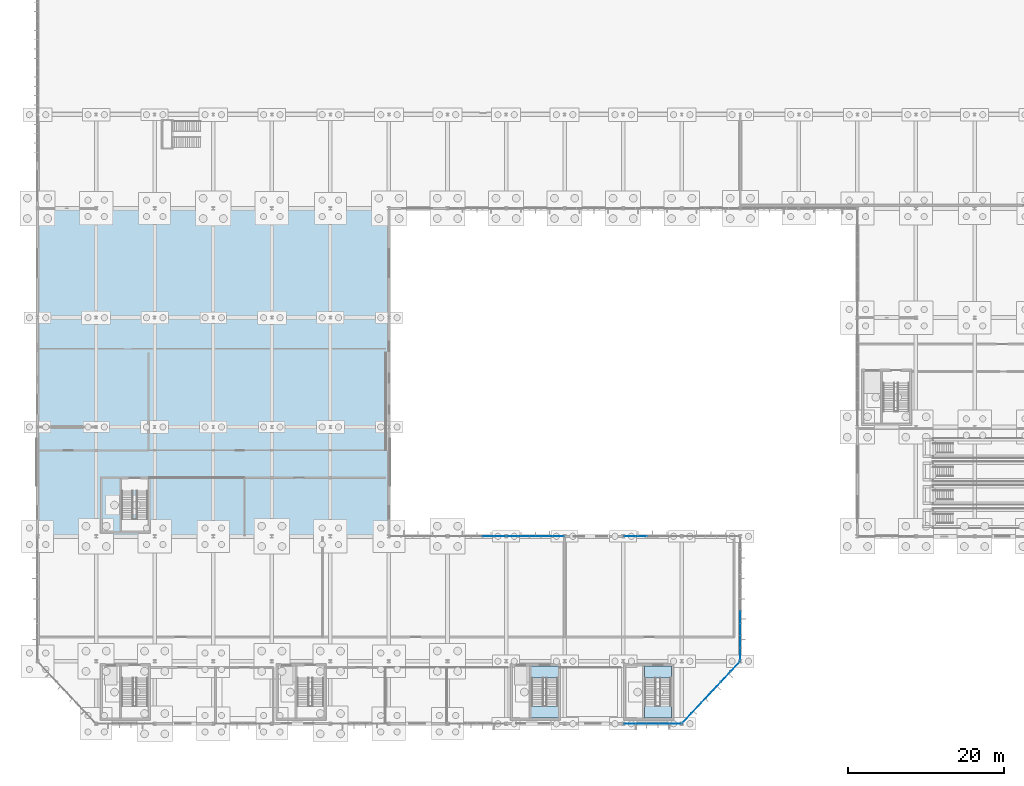
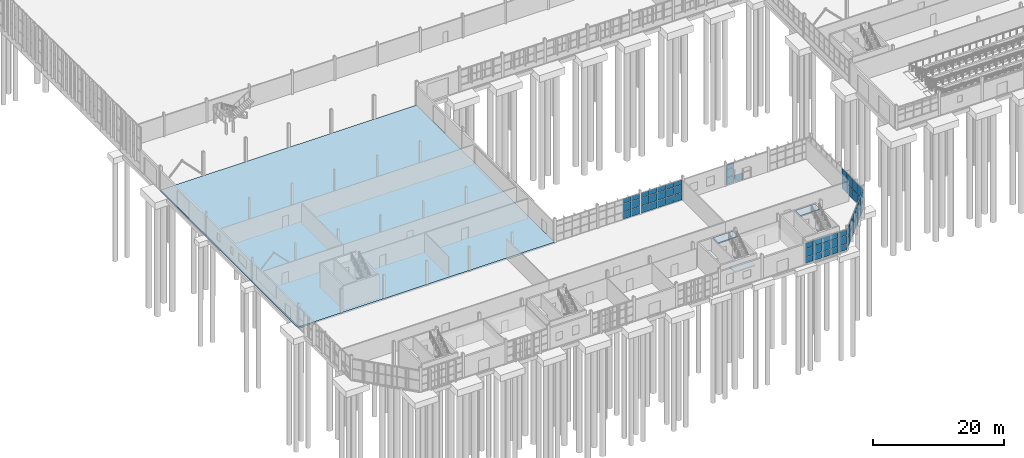
# One storey, part 83 of 136: 60 plates, 5 slabs, 8 elements without a shape of their own.
"""IFC4 building model written with IfcOpenShell, lengths in metres."""

from ifc_helpers import new_model, si_unit, direction, frame, origin, origin_2d, place, context, subcontext, project, spatial, polyline, rectangle, outline, extrude, material, layer, layer_set, type_object, element, aggregate, save


model = new_model("IFC4")

# Units and contexts
model_context = context("Model", 3, precision=1e-05, world=origin(), true_north=direction((0.0, 1.0)))
body_context = subcontext(model_context, "Body", "Model", "MODEL_VIEW")
ifc_project = project(units=[si_unit("LENGTHUNIT", "METRE"), si_unit("AREAUNIT", "SQUARE_METRE"), si_unit("VOLUMEUNIT", "CUBIC_METRE"), si_unit("PLANEANGLEUNIT", "RADIAN"), si_unit("MASSUNIT", "GRAM", prefix="KILO")], contexts=[model_context])

# Site, building, storey
site_placement = place(None, origin())
site = spatial("IfcSite", under=ifc_project, at=site_placement, CompositionType="ELEMENT")
building_placement = place(site_placement, origin())
building = spatial("IfcBuilding", under=site, at=building_placement, Name="Solvenia Promenade Tram Depot", CompositionType="ELEMENT")
storey_placement = place(building_placement, origin())
storey = spatial("IfcBuildingStorey", under=building, at=storey_placement, Name="L00", CompositionType="ELEMENT", Elevation=0.0)

# Curtain wall, plates
ifc_material_1 = material(Name="Anodized aluminium AW-6063 T6", Category="aluminium")
ifc_layer_1 = layer(ifc_material_1, 0.14990234375, Name="Anodized aluminium AW-6063 T6", Category="aluminium")
ifc_layer_set_1 = layer_set([ifc_layer_1], Name="Anodized aluminium AW-6063 T6")
curtain_wall_type_1 = type_object("IfcCurtainWallType", Name="CW-Court-1500", PredefinedType="NOTDEFINED", material=ifc_layer_set_1)
curtain_wall_1_placement = place(storey_placement, origin())
curtain_wall_1 = element("IfcCurtainWall", 1, at=curtain_wall_1_placement, inside=storey, type_object=curtain_wall_type_1, Name="Curtain Wall CW-V4N-L00-08", PredefinedType="NOTDEFINED")
ifc_material_2 = material(Name="Double low-e argon insulated glass", Category="glass")
ifc_layer_2 = layer(ifc_material_2, 0.031982421875, Name="Double low-e argon insulated glass", Category="glass")
ifc_layer_set_2 = layer_set([ifc_layer_2], Name="Double low-e argon insulated glass")
plate_type_1 = type_object("IfcPlateType", Name="CWP-Panel-2", PredefinedType="CURTAIN_PANEL", material=ifc_layer_set_2)
plate_1_placement = place(storey_placement, frame((57.718017578125, 24.0, 0.06494140625), z_axis=(0.0, 0.0, 1.0), x_axis=(1.0, 0.0, 0.0)))
plate_1 = element("IfcPlate", 2, at=plate_1_placement, type_object=plate_type_1, Name="CW-5 panel 4.1", PredefinedType="CURTAIN_PANEL", context=body_context, shape_type="SweptSolid", body=[
    extrude(rectangle(XDim=1.41796875, YDim=0.031982421875, at=origin_2d()), origin(), (0.0, 0.0, 1.0), 1.302490234375),
])
plate_2_placement = place(storey_placement, frame((57.718017578125, 24.0, 1.432373046875), z_axis=(0.0, 0.0, 1.0), x_axis=(1.0, 0.0, 0.0)))
plate_2 = element("IfcPlate", 3, at=plate_2_placement, type_object=plate_type_1, Name="CW-5 panel 4.2", PredefinedType="CURTAIN_PANEL", context=body_context, shape_type="SweptSolid", body=[
    extrude(rectangle(XDim=1.41796875, YDim=0.031982421875, at=origin_2d()), origin(), (0.0, 0.0, 1.0), 1.43505859375),
])
plate_3_placement = place(storey_placement, frame((57.718017578125, 24.0, 2.932373046875), z_axis=(0.0, 0.0, 1.0), x_axis=(1.0, 0.0, 0.0)))
plate_3 = element("IfcPlate", 4, at=plate_3_placement, type_object=plate_type_1, Name="CW-5 panel 4.3", PredefinedType="CURTAIN_PANEL", context=body_context, shape_type="SweptSolid", body=[
    extrude(rectangle(XDim=1.41796875, YDim=0.031982421875, at=origin_2d()), origin(), (0.0, 0.0, 1.0), 0.8525390625),
])
plate_4_placement = place(storey_placement, frame((59.173583984375, 24.0, 0.06494140625), z_axis=(0.0, 0.0, 1.0), x_axis=(1.0, 0.0, 0.0)))
plate_4 = element("IfcPlate", 5, at=plate_4_placement, type_object=plate_type_1, Name="CW-5 panel 5.1", PredefinedType="CURTAIN_PANEL", context=body_context, shape_type="SweptSolid", body=[
    extrude(rectangle(XDim=1.39306640625, YDim=0.031982421875, at=origin_2d()), origin(), (0.0, 0.0, 1.0), 1.302490234375),
])
plate_5_placement = place(storey_placement, frame((59.173583984375, 24.0, 1.432373046875), z_axis=(0.0, 0.0, 1.0), x_axis=(1.0, 0.0, 0.0)))
plate_5 = element("IfcPlate", 6, at=plate_5_placement, type_object=plate_type_1, Name="CW-5 panel 5.2", PredefinedType="CURTAIN_PANEL", context=body_context, shape_type="SweptSolid", body=[
    extrude(rectangle(XDim=1.39306640625, YDim=0.031982421875, at=origin_2d()), origin(), (0.0, 0.0, 1.0), 1.43505859375),
])
plate_6_placement = place(storey_placement, frame((59.173583984375, 24.0, 2.932373046875), z_axis=(0.0, 0.0, 1.0), x_axis=(1.0, 0.0, 0.0)))
plate_6 = element("IfcPlate", 7, at=plate_6_placement, type_object=plate_type_1, Name="CW-5 panel 5.3", PredefinedType="CURTAIN_PANEL", context=body_context, shape_type="SweptSolid", body=[
    extrude(rectangle(XDim=1.39306640625, YDim=0.031982421875, at=origin_2d()), origin(), (0.0, 0.0, 1.0), 0.8525390625),
])
aggregate(curtain_wall_1, [plate_1, plate_2, plate_3, plate_4, plate_5, plate_6])

curtain_wall_2_placement = place(storey_placement, origin())
curtain_wall_2 = element("IfcCurtainWall", 8, at=curtain_wall_2_placement, inside=storey, type_object=curtain_wall_type_1, Name="Curtain Wall CW-V4N-L00-09", PredefinedType="NOTDEFINED")
plate_7_placement = place(storey_placement, frame((60.826416015625, 24.0, 0.06494140625), z_axis=(0.0, 0.0, 1.0), x_axis=(1.0, 0.0, 0.0)))
plate_7 = element("IfcPlate", 9, at=plate_7_placement, type_object=plate_type_1, Name="CW-5 panel 1.1", PredefinedType="CURTAIN_PANEL", context=body_context, shape_type="SweptSolid", body=[
    extrude(rectangle(XDim=1.39306640625, YDim=0.031982421875, at=origin_2d()), origin(), (0.0, 0.0, 1.0), 1.302490234375),
])
plate_8_placement = place(storey_placement, frame((60.826416015625, 24.0, 1.432373046875), z_axis=(0.0, 0.0, 1.0), x_axis=(1.0, 0.0, 0.0)))
plate_8 = element("IfcPlate", 10, at=plate_8_placement, type_object=plate_type_1, Name="CW-5 panel 1.2", PredefinedType="CURTAIN_PANEL", context=body_context, shape_type="SweptSolid", body=[
    extrude(rectangle(XDim=1.39306640625, YDim=0.031982421875, at=origin_2d()), origin(), (0.0, 0.0, 1.0), 1.43505859375),
])
plate_9_placement = place(storey_placement, frame((60.826416015625, 24.0, 2.932373046875), z_axis=(0.0, 0.0, 1.0), x_axis=(1.0, 0.0, 0.0)))
plate_9 = element("IfcPlate", 11, at=plate_9_placement, type_object=plate_type_1, Name="CW-5 panel 1.3", PredefinedType="CURTAIN_PANEL", context=body_context, shape_type="SweptSolid", body=[
    extrude(rectangle(XDim=1.39306640625, YDim=0.031982421875, at=origin_2d()), origin(), (0.0, 0.0, 1.0), 0.8525390625),
])
plate_10_placement = place(storey_placement, frame((62.281982421875, 24.0, 0.06494140625), z_axis=(0.0, 0.0, 1.0), x_axis=(1.0, 0.0, 0.0)))
plate_10 = element("IfcPlate", 12, at=plate_10_placement, type_object=plate_type_1, Name="CW-5 panel 2.1", PredefinedType="CURTAIN_PANEL", context=body_context, shape_type="SweptSolid", body=[
    extrude(rectangle(XDim=1.41796875, YDim=0.031982421875, at=origin_2d()), origin(), (0.0, 0.0, 1.0), 1.302490234375),
])
plate_11_placement = place(storey_placement, frame((62.281982421875, 24.0, 1.432373046875), z_axis=(0.0, 0.0, 1.0), x_axis=(1.0, 0.0, 0.0)))
plate_11 = element("IfcPlate", 13, at=plate_11_placement, type_object=plate_type_1, Name="CW-5 panel 2.2", PredefinedType="CURTAIN_PANEL", context=body_context, shape_type="SweptSolid", body=[
    extrude(rectangle(XDim=1.41796875, YDim=0.031982421875, at=origin_2d()), origin(), (0.0, 0.0, 1.0), 1.43505859375),
])
plate_12_placement = place(storey_placement, frame((62.281982421875, 24.0, 2.932373046875), z_axis=(0.0, 0.0, 1.0), x_axis=(1.0, 0.0, 0.0)))
plate_12 = element("IfcPlate", 14, at=plate_12_placement, type_object=plate_type_1, Name="CW-5 panel 2.3", PredefinedType="CURTAIN_PANEL", context=body_context, shape_type="SweptSolid", body=[
    extrude(rectangle(XDim=1.41796875, YDim=0.031982421875, at=origin_2d()), origin(), (0.0, 0.0, 1.0), 0.8525390625),
])
plate_13_placement = place(storey_placement, frame((63.75, 24.0, 0.06494140625), z_axis=(0.0, 0.0, 1.0), x_axis=(1.0, 0.0, 0.0)))
plate_13 = element("IfcPlate", 15, at=plate_13_placement, type_object=plate_type_1, Name="CW-5 panel 3.1", PredefinedType="CURTAIN_PANEL", context=body_context, shape_type="SweptSolid", body=[
    extrude(rectangle(XDim=1.41796875, YDim=0.031982421875, at=origin_2d()), origin(), (0.0, 0.0, 1.0), 1.302490234375),
])
plate_14_placement = place(storey_placement, frame((63.75, 24.0, 1.432373046875), z_axis=(0.0, 0.0, 1.0), x_axis=(1.0, 0.0, 0.0)))
plate_14 = element("IfcPlate", 16, at=plate_14_placement, type_object=plate_type_1, Name="CW-5 panel 3.2", PredefinedType="CURTAIN_PANEL", context=body_context, shape_type="SweptSolid", body=[
    extrude(rectangle(XDim=1.41796875, YDim=0.031982421875, at=origin_2d()), origin(), (0.0, 0.0, 1.0), 1.43505859375),
])
plate_15_placement = place(storey_placement, frame((63.75, 24.0, 2.932373046875), z_axis=(0.0, 0.0, 1.0), x_axis=(1.0, 0.0, 0.0)))
plate_15 = element("IfcPlate", 17, at=plate_15_placement, type_object=plate_type_1, Name="CW-5 panel 3.3", PredefinedType="CURTAIN_PANEL", context=body_context, shape_type="SweptSolid", body=[
    extrude(rectangle(XDim=1.41796875, YDim=0.031982421875, at=origin_2d()), origin(), (0.0, 0.0, 1.0), 0.8525390625),
])
plate_16_placement = place(storey_placement, frame((65.218017578125, 24.0, 0.06494140625), z_axis=(0.0, 0.0, 1.0), x_axis=(1.0, 0.0, 0.0)))
plate_16 = element("IfcPlate", 18, at=plate_16_placement, type_object=plate_type_1, Name="CW-5 panel 4.1", PredefinedType="CURTAIN_PANEL", context=body_context, shape_type="SweptSolid", body=[
    extrude(rectangle(XDim=1.41796875, YDim=0.031982421875, at=origin_2d()), origin(), (0.0, 0.0, 1.0), 1.302490234375),
])
plate_17_placement = place(storey_placement, frame((65.218017578125, 24.0, 1.432373046875), z_axis=(0.0, 0.0, 1.0), x_axis=(1.0, 0.0, 0.0)))
plate_17 = element("IfcPlate", 19, at=plate_17_placement, type_object=plate_type_1, Name="CW-5 panel 4.2", PredefinedType="CURTAIN_PANEL", context=body_context, shape_type="SweptSolid", body=[
    extrude(rectangle(XDim=1.41796875, YDim=0.031982421875, at=origin_2d()), origin(), (0.0, 0.0, 1.0), 1.43505859375),
])
plate_18_placement = place(storey_placement, frame((65.218017578125, 24.0, 2.932373046875), z_axis=(0.0, 0.0, 1.0), x_axis=(1.0, 0.0, 0.0)))
plate_18 = element("IfcPlate", 20, at=plate_18_placement, type_object=plate_type_1, Name="CW-5 panel 4.3", PredefinedType="CURTAIN_PANEL", context=body_context, shape_type="SweptSolid", body=[
    extrude(rectangle(XDim=1.41796875, YDim=0.031982421875, at=origin_2d()), origin(), (0.0, 0.0, 1.0), 0.8525390625),
])
plate_19_placement = place(storey_placement, frame((66.673583984375, 24.0, 0.06494140625), z_axis=(0.0, 0.0, 1.0), x_axis=(1.0, 0.0, 0.0)))
plate_19 = element("IfcPlate", 21, at=plate_19_placement, type_object=plate_type_1, Name="CW-5 panel 5.1", PredefinedType="CURTAIN_PANEL", context=body_context, shape_type="SweptSolid", body=[
    extrude(rectangle(XDim=1.39306640625, YDim=0.031982421875, at=origin_2d()), origin(), (0.0, 0.0, 1.0), 1.302490234375),
])
plate_20_placement = place(storey_placement, frame((66.673583984375, 24.0, 1.432373046875), z_axis=(0.0, 0.0, 1.0), x_axis=(1.0, 0.0, 0.0)))
plate_20 = element("IfcPlate", 22, at=plate_20_placement, type_object=plate_type_1, Name="CW-5 panel 5.2", PredefinedType="CURTAIN_PANEL", context=body_context, shape_type="SweptSolid", body=[
    extrude(rectangle(XDim=1.39306640625, YDim=0.031982421875, at=origin_2d()), origin(), (0.0, 0.0, 1.0), 1.43505859375),
])
plate_21_placement = place(storey_placement, frame((66.673583984375, 24.0, 2.932373046875), z_axis=(0.0, 0.0, 1.0), x_axis=(1.0, 0.0, 0.0)))
plate_21 = element("IfcPlate", 23, at=plate_21_placement, type_object=plate_type_1, Name="CW-5 panel 5.3", PredefinedType="CURTAIN_PANEL", context=body_context, shape_type="SweptSolid", body=[
    extrude(rectangle(XDim=1.39306640625, YDim=0.031982421875, at=origin_2d()), origin(), (0.0, 0.0, 1.0), 0.8525390625),
])
aggregate(curtain_wall_2, [plate_7, plate_8, plate_9, plate_10, plate_11, plate_12, plate_13, plate_14, plate_15, plate_16, plate_17, plate_18, plate_19, plate_20, plate_21])

curtain_wall_3_placement = place(storey_placement, origin())
curtain_wall_3 = element("IfcCurtainWall", 24, at=curtain_wall_3_placement, inside=storey, type_object=curtain_wall_type_1, Name="Curtain Wall CW-V4N-L00-11", PredefinedType="NOTDEFINED")
plate_22_placement = place(storey_placement, frame((75.826416015625, 24.0, 0.06494140625), z_axis=(0.0, 0.0, 1.0), x_axis=(1.0, 0.0, 0.0)))
plate_22 = element("IfcPlate", 25, at=plate_22_placement, type_object=plate_type_1, Name="CW-5 panel 1.1", PredefinedType="CURTAIN_PANEL", context=body_context, shape_type="SweptSolid", body=[
    extrude(rectangle(XDim=1.39306640625, YDim=0.031982421875, at=origin_2d()), origin(), (0.0, 0.0, 1.0), 1.302490234375),
])
plate_23_placement = place(storey_placement, frame((75.826416015625, 24.0, 1.432373046875), z_axis=(0.0, 0.0, 1.0), x_axis=(1.0, 0.0, 0.0)))
plate_23 = element("IfcPlate", 26, at=plate_23_placement, type_object=plate_type_1, Name="CW-5 panel 1.2", PredefinedType="CURTAIN_PANEL", context=body_context, shape_type="SweptSolid", body=[
    extrude(rectangle(XDim=1.39306640625, YDim=0.031982421875, at=origin_2d()), origin(), (0.0, 0.0, 1.0), 1.43505859375),
])
plate_24_placement = place(storey_placement, frame((75.826416015625, 24.0, 2.932373046875), z_axis=(0.0, 0.0, 1.0), x_axis=(1.0, 0.0, 0.0)))
plate_24 = element("IfcPlate", 27, at=plate_24_placement, type_object=plate_type_1, Name="CW-5 panel 1.3", PredefinedType="CURTAIN_PANEL", context=body_context, shape_type="SweptSolid", body=[
    extrude(rectangle(XDim=1.39306640625, YDim=0.031982421875, at=origin_2d()), origin(), (0.0, 0.0, 1.0), 0.8525390625),
])
plate_25_placement = place(storey_placement, frame((77.281982421875, 24.0, 0.06494140625), z_axis=(0.0, 0.0, 1.0), x_axis=(1.0, 0.0, 0.0)))
plate_25 = element("IfcPlate", 28, at=plate_25_placement, type_object=plate_type_1, Name="CW-5 panel 2.1", PredefinedType="CURTAIN_PANEL", context=body_context, shape_type="SweptSolid", body=[
    extrude(rectangle(XDim=1.41796875, YDim=0.031982421875, at=origin_2d()), origin(), (0.0, 0.0, 1.0), 1.302490234375),
])
aggregate(curtain_wall_3, [plate_22, plate_23, plate_24, plate_25])

curtain_wall_4_placement = place(storey_placement, origin())
curtain_wall_4 = element("IfcCurtainWall", 29, at=curtain_wall_4_placement, inside=storey, type_object=curtain_wall_type_1, Name="Curtain Wall CW-V4E-L00", PredefinedType="NOTDEFINED")
plate_26_placement = place(storey_placement, frame((90.0, 8.947509765625, 0.06494140625), z_axis=(0.0, 0.0, 1.0), x_axis=(0.0, 1.0, 0.0)))
plate_26 = element("IfcPlate", 30, at=plate_26_placement, type_object=plate_type_1, Name="CW-5 panel 1.1", PredefinedType="CURTAIN_PANEL", context=body_context, shape_type="SweptSolid", body=[
    extrude(rectangle(XDim=1.4951171875, YDim=0.031982421875, at=origin_2d()), origin(), (0.0, 0.0, 1.0), 1.75244140625),
])
plate_27_placement = place(storey_placement, frame((90.0, 8.947509765625, 1.88232421875), z_axis=(0.0, 0.0, 1.0), x_axis=(0.0, 1.0, 0.0)))
plate_27 = element("IfcPlate", 31, at=plate_27_placement, type_object=plate_type_1, Name="CW-5 panel 1.2", PredefinedType="CURTAIN_PANEL", context=body_context, shape_type="SweptSolid", body=[
    extrude(rectangle(XDim=1.4951171875, YDim=0.031982421875, at=origin_2d()), origin(), (0.0, 0.0, 1.0), 1.902587890625),
])
plate_28_placement = place(storey_placement, frame((90.0, 10.5048828125, 0.06494140625), z_axis=(0.0, 0.0, 1.0), x_axis=(0.0, 1.0, 0.0)))
plate_28 = element("IfcPlate", 32, at=plate_28_placement, type_object=plate_type_1, Name="CW-5 panel 2.1", PredefinedType="CURTAIN_PANEL", context=body_context, shape_type="SweptSolid", body=[
    extrude(rectangle(XDim=1.52001953125, YDim=0.031982421875, at=origin_2d()), origin(), (0.0, 0.0, 1.0), 1.75244140625),
])
plate_29_placement = place(storey_placement, frame((90.0, 10.5048828125, 1.88232421875), z_axis=(0.0, 0.0, 1.0), x_axis=(0.0, 1.0, 0.0)))
plate_29 = element("IfcPlate", 33, at=plate_29_placement, type_object=plate_type_1, Name="CW-5 panel 2.2", PredefinedType="CURTAIN_PANEL", context=body_context, shape_type="SweptSolid", body=[
    extrude(rectangle(XDim=1.52001953125, YDim=0.031982421875, at=origin_2d()), origin(), (0.0, 0.0, 1.0), 1.902587890625),
])
plate_30_placement = place(storey_placement, frame((90.0, 12.074951171875, 0.06494140625), z_axis=(0.0, 0.0, 1.0), x_axis=(0.0, 1.0, 0.0)))
plate_30 = element("IfcPlate", 34, at=plate_30_placement, type_object=plate_type_1, Name="CW-5 panel 3.1", PredefinedType="CURTAIN_PANEL", context=body_context, shape_type="SweptSolid", body=[
    extrude(rectangle(XDim=1.52001953125, YDim=0.031982421875, at=origin_2d()), origin(), (0.0, 0.0, 1.0), 1.75244140625),
])
plate_31_placement = place(storey_placement, frame((90.0, 12.074951171875, 1.88232421875), z_axis=(0.0, 0.0, 1.0), x_axis=(0.0, 1.0, 0.0)))
plate_31 = element("IfcPlate", 35, at=plate_31_placement, type_object=plate_type_1, Name="CW-5 panel 3.2", PredefinedType="CURTAIN_PANEL", context=body_context, shape_type="SweptSolid", body=[
    extrude(rectangle(XDim=1.52001953125, YDim=0.031982421875, at=origin_2d()), origin(), (0.0, 0.0, 1.0), 1.902587890625),
])
plate_32_placement = place(storey_placement, frame((90.0, 13.64501953125, 0.06494140625), z_axis=(0.0, 0.0, 1.0), x_axis=(0.0, 1.0, 0.0)))
plate_32 = element("IfcPlate", 36, at=plate_32_placement, type_object=plate_type_1, Name="CW-5 panel 4.1", PredefinedType="CURTAIN_PANEL", context=body_context, shape_type="SweptSolid", body=[
    extrude(rectangle(XDim=1.52001953125, YDim=0.031982421875, at=origin_2d()), origin(), (0.0, 0.0, 1.0), 1.75244140625),
])
plate_33_placement = place(storey_placement, frame((90.0, 13.64501953125, 1.88232421875), z_axis=(0.0, 0.0, 1.0), x_axis=(0.0, 1.0, 0.0)))
plate_33 = element("IfcPlate", 37, at=plate_33_placement, type_object=plate_type_1, Name="CW-5 panel 4.2", PredefinedType="CURTAIN_PANEL", context=body_context, shape_type="SweptSolid", body=[
    extrude(rectangle(XDim=1.52001953125, YDim=0.031982421875, at=origin_2d()), origin(), (0.0, 0.0, 1.0), 1.902587890625),
])
aggregate(curtain_wall_4, [plate_26, plate_27, plate_28, plate_29, plate_30, plate_31, plate_32, plate_33])

ifc_layer_3 = layer(ifc_material_1, 0.179931640625, Name="Anodized aluminium AW-6063 T6", Category="aluminium")
ifc_layer_set_3 = layer_set([ifc_layer_3], Name="Anodized aluminium AW-6063 T6")
curtain_wall_type_2 = type_object("IfcCurtainWallType", Name="CW-Prom-1800", PredefinedType="NOTDEFINED", material=ifc_layer_set_3)
curtain_wall_5_placement = place(storey_placement, origin())
curtain_wall_5 = element("IfcCurtainWall", 38, at=curtain_wall_5_placement, inside=storey, type_object=curtain_wall_type_2, Name="L00 East Forecourt Faceted Prow Curtain Wall", PredefinedType="NOTDEFINED")
ifc_layer_4 = layer(ifc_material_2, 0.035888671875, Name="Double low-e argon insulated glass", Category="glass")
ifc_layer_set_4 = layer_set([ifc_layer_4], Name="Double low-e argon insulated glass")
plate_type_2 = type_object("IfcPlateType", Name="CWP-Panel-3", PredefinedType="CURTAIN_PANEL", material=ifc_layer_set_4)
plate_34_placement = place(storey_placement, frame((83.13330078125, 0.675537109375, 0.057861328125), z_axis=(0.0, 0.0, 1.0), x_axis=(0.683941128881, 0.72953720414, 0.0)))
plate_34 = element("IfcPlate", 39, at=plate_34_placement, type_object=plate_type_2, Name="CW-9 panel 1.1", PredefinedType="CURTAIN_PANEL", context=body_context, shape_type="SweptSolid", body=[
    extrude(rectangle(XDim=1.755615234375, YDim=0.035888671875, at=origin_2d()), origin(), (0.0, 0.0, 1.0), 1.9130859375),
])
plate_35_placement = place(storey_placement, frame((83.13330078125, 0.675537109375, 2.02880859375), z_axis=(0.0, 0.0, 1.0), x_axis=(0.683941128881, 0.72953720414, 0.0)))
plate_35 = element("IfcPlate", 40, at=plate_35_placement, type_object=plate_type_2, Name="CW-9 panel 1.2", PredefinedType="CURTAIN_PANEL", context=body_context, shape_type="SweptSolid", body=[
    extrude(rectangle(XDim=1.755615234375, YDim=0.035888671875, at=origin_2d()), origin(), (0.0, 0.0, 1.0), 1.762939453125),
])
plate_36_placement = place(storey_placement, frame((84.375, 2.0, 0.057861328125), z_axis=(0.0, 0.0, 1.0), x_axis=(0.683941128881, 0.72953720414, 0.0)))
plate_36 = element("IfcPlate", 41, at=plate_36_placement, type_object=plate_type_2, Name="CW-9 panel 2.1", PredefinedType="CURTAIN_PANEL", context=body_context, shape_type="SweptSolid", body=[
    extrude(rectangle(XDim=1.779541015625, YDim=0.035888671875, at=origin_2d()), origin(), (0.0, 0.0, 1.0), 1.9130859375),
])
plate_37_placement = place(storey_placement, frame((84.375, 2.0, 2.02880859375), z_axis=(0.0, 0.0, 1.0), x_axis=(0.683941128881, 0.72953720414, 0.0)))
plate_37 = element("IfcPlate", 42, at=plate_37_placement, type_object=plate_type_2, Name="CW-9 panel 2.2", PredefinedType="CURTAIN_PANEL", context=body_context, shape_type="SweptSolid", body=[
    extrude(rectangle(XDim=1.779541015625, YDim=0.035888671875, at=origin_2d()), origin(), (0.0, 0.0, 1.0), 1.762939453125),
])
plate_38_placement = place(storey_placement, frame((85.625, 3.333251953125, 0.057861328125), z_axis=(0.0, 0.0, 1.0), x_axis=(0.683941128881, 0.72953720414, 0.0)))
plate_38 = element("IfcPlate", 43, at=plate_38_placement, type_object=plate_type_2, Name="CW-9 panel 3.1", PredefinedType="CURTAIN_PANEL", context=body_context, shape_type="SweptSolid", body=[
    extrude(rectangle(XDim=1.779541015625, YDim=0.035888671875, at=origin_2d()), origin(), (0.0, 0.0, 1.0), 1.9130859375),
])
plate_39_placement = place(storey_placement, frame((85.625, 3.333251953125, 2.02880859375), z_axis=(0.0, 0.0, 1.0), x_axis=(0.683941128881, 0.72953720414, 0.0)))
plate_39 = element("IfcPlate", 44, at=plate_39_placement, type_object=plate_type_2, Name="CW-9 panel 3.2", PredefinedType="CURTAIN_PANEL", context=body_context, shape_type="SweptSolid", body=[
    extrude(rectangle(XDim=1.779541015625, YDim=0.035888671875, at=origin_2d()), origin(), (0.0, 0.0, 1.0), 1.762939453125),
])
plate_40_placement = place(storey_placement, frame((86.875, 4.666748046875, 0.057861328125), z_axis=(0.0, 0.0, 1.0), x_axis=(0.683941128881, 0.72953720414, 0.0)))
plate_40 = element("IfcPlate", 45, at=plate_40_placement, type_object=plate_type_2, Name="CW-9 panel 4.1", PredefinedType="CURTAIN_PANEL", context=body_context, shape_type="SweptSolid", body=[
    extrude(rectangle(XDim=1.779541015625, YDim=0.035888671875, at=origin_2d()), origin(), (0.0, 0.0, 1.0), 1.9130859375),
])
plate_41_placement = place(storey_placement, frame((86.875, 4.666748046875, 2.02880859375), z_axis=(0.0, 0.0, 1.0), x_axis=(0.683941128881, 0.72953720414, 0.0)))
plate_41 = element("IfcPlate", 46, at=plate_41_placement, type_object=plate_type_2, Name="CW-9 panel 4.2", PredefinedType="CURTAIN_PANEL", context=body_context, shape_type="SweptSolid", body=[
    extrude(rectangle(XDim=1.779541015625, YDim=0.035888671875, at=origin_2d()), origin(), (0.0, 0.0, 1.0), 1.762939453125),
])
plate_42_placement = place(storey_placement, frame((88.125, 6.0, 0.057861328125), z_axis=(0.0, 0.0, 1.0), x_axis=(0.683941128881, 0.72953720414, 0.0)))
plate_42 = element("IfcPlate", 47, at=plate_42_placement, type_object=plate_type_2, Name="CW-9 panel 5.1", PredefinedType="CURTAIN_PANEL", context=body_context, shape_type="SweptSolid", body=[
    extrude(rectangle(XDim=1.779541015625, YDim=0.035888671875, at=origin_2d()), origin(), (0.0, 0.0, 1.0), 1.9130859375),
])
plate_43_placement = place(storey_placement, frame((88.125, 6.0, 2.02880859375), z_axis=(0.0, 0.0, 1.0), x_axis=(0.683941128881, 0.72953720414, 0.0)))
plate_43 = element("IfcPlate", 48, at=plate_43_placement, type_object=plate_type_2, Name="CW-9 panel 5.2", PredefinedType="CURTAIN_PANEL", context=body_context, shape_type="SweptSolid", body=[
    extrude(rectangle(XDim=1.779541015625, YDim=0.035888671875, at=origin_2d()), origin(), (0.0, 0.0, 1.0), 1.762939453125),
])
plate_44_placement = place(storey_placement, frame((89.36669921875, 7.324462890625, 0.057861328125), z_axis=(0.0, 0.0, 1.0), x_axis=(0.683941128881, 0.72953720414, 0.0)))
plate_44 = element("IfcPlate", 49, at=plate_44_placement, type_object=plate_type_2, Name="CW-9 panel 6.1", PredefinedType="CURTAIN_PANEL", context=body_context, shape_type="SweptSolid", body=[
    extrude(rectangle(XDim=1.755615234375, YDim=0.035888671875, at=origin_2d()), origin(), (0.0, 0.0, 1.0), 1.9130859375),
])
plate_45_placement = place(storey_placement, frame((89.36669921875, 7.324462890625, 2.02880859375), z_axis=(0.0, 0.0, 1.0), x_axis=(0.683941128881, 0.72953720414, 0.0)))
plate_45 = element("IfcPlate", 50, at=plate_45_placement, type_object=plate_type_2, Name="CW-9 panel 6.2", PredefinedType="CURTAIN_PANEL", context=body_context, shape_type="SweptSolid", body=[
    extrude(rectangle(XDim=1.755615234375, YDim=0.035888671875, at=origin_2d()), origin(), (0.0, 0.0, 1.0), 1.762939453125),
])
aggregate(curtain_wall_5, [plate_34, plate_35, plate_36, plate_37, plate_38, plate_39, plate_40, plate_41, plate_42, plate_43, plate_44, plate_45])

ifc_layer_5 = layer(ifc_material_1, 0.179931640625, Name="Anodized aluminium AW-6063 T6", Category="aluminium")
ifc_layer_set_5 = layer_set([ifc_layer_5], Name="Anodized aluminium AW-6063 T6")
curtain_wall_type_3 = type_object("IfcCurtainWallType", Name="CW-Solar-1500", PredefinedType="NOTDEFINED", material=ifc_layer_set_5)
curtain_wall_6_placement = place(storey_placement, origin())
curtain_wall_6 = element("IfcCurtainWall", 51, at=curtain_wall_6_placement, inside=storey, type_object=curtain_wall_type_3, Name="Curtain Wall CW-V4S-L00-10", PredefinedType="NOTDEFINED")
plate_46_placement = place(storey_placement, frame((75.825927734375, 0.0, 0.05810546875), z_axis=(0.0, 0.0, 1.0), x_axis=(1.0, 0.0, 0.0)))
plate_46 = element("IfcPlate", 52, at=plate_46_placement, type_object=plate_type_2, Name="CW-7 panel 1.1", PredefinedType="CURTAIN_PANEL", context=body_context, shape_type="SweptSolid", body=[
    extrude(rectangle(XDim=1.39599609375, YDim=0.035888671875, at=origin_2d()), origin(), (0.0, 0.0, 1.0), 1.113037109375),
])
plate_47_placement = place(storey_placement, frame((75.825927734375, 0.0, 1.22900390625), z_axis=(0.0, 0.0, 1.0), x_axis=(1.0, 0.0, 0.0)))
plate_47 = element("IfcPlate", 53, at=plate_47_placement, type_object=plate_type_2, Name="CW-7 panel 1.2", PredefinedType="CURTAIN_PANEL", context=body_context, shape_type="SweptSolid", body=[
    extrude(rectangle(XDim=1.39599609375, YDim=0.035888671875, at=origin_2d()), origin(), (0.0, 0.0, 1.0), 1.491943359375),
])
plate_48_placement = place(storey_placement, frame((75.825927734375, 0.0, 2.77880859375), z_axis=(0.0, 0.0, 1.0), x_axis=(1.0, 0.0, 0.0)))
plate_48 = element("IfcPlate", 54, at=plate_48_placement, type_object=plate_type_2, Name="CW-7 panel 1.3", PredefinedType="CURTAIN_PANEL", context=body_context, shape_type="SweptSolid", body=[
    extrude(rectangle(XDim=1.39599609375, YDim=0.035888671875, at=origin_2d()), origin(), (0.0, 0.0, 1.0), 1.012939453125),
])
plate_49_placement = place(storey_placement, frame((77.281982421875, 0.0, 0.05810546875), z_axis=(0.0, 0.0, 1.0), x_axis=(1.0, 0.0, 0.0)))
plate_49 = element("IfcPlate", 55, at=plate_49_placement, type_object=plate_type_2, Name="CW-7 panel 2.1", PredefinedType="CURTAIN_PANEL", context=body_context, shape_type="SweptSolid", body=[
    extrude(rectangle(XDim=1.419921875, YDim=0.035888671875, at=origin_2d()), origin(), (0.0, 0.0, 1.0), 1.113037109375),
])
plate_50_placement = place(storey_placement, frame((77.281982421875, 0.0, 1.22900390625), z_axis=(0.0, 0.0, 1.0), x_axis=(1.0, 0.0, 0.0)))
plate_50 = element("IfcPlate", 56, at=plate_50_placement, type_object=plate_type_2, Name="CW-7 panel 2.2", PredefinedType="CURTAIN_PANEL", context=body_context, shape_type="SweptSolid", body=[
    extrude(rectangle(XDim=1.419921875, YDim=0.035888671875, at=origin_2d()), origin(), (0.0, 0.0, 1.0), 1.491943359375),
])
plate_51_placement = place(storey_placement, frame((77.281982421875, 0.0, 2.77880859375), z_axis=(0.0, 0.0, 1.0), x_axis=(1.0, 0.0, 0.0)))
plate_51 = element("IfcPlate", 57, at=plate_51_placement, type_object=plate_type_2, Name="CW-7 panel 2.3", PredefinedType="CURTAIN_PANEL", context=body_context, shape_type="SweptSolid", body=[
    extrude(rectangle(XDim=1.419921875, YDim=0.035888671875, at=origin_2d()), origin(), (0.0, 0.0, 1.0), 1.012939453125),
])
plate_52_placement = place(storey_placement, frame((78.75, 0.0, 0.05810546875), z_axis=(0.0, 0.0, 1.0), x_axis=(1.0, 0.0, 0.0)))
plate_52 = element("IfcPlate", 58, at=plate_52_placement, type_object=plate_type_2, Name="CW-7 panel 3.1", PredefinedType="CURTAIN_PANEL", context=body_context, shape_type="SweptSolid", body=[
    extrude(rectangle(XDim=1.419921875, YDim=0.035888671875, at=origin_2d()), origin(), (0.0, 0.0, 1.0), 1.113037109375),
])
plate_53_placement = place(storey_placement, frame((78.75, 0.0, 1.22900390625), z_axis=(0.0, 0.0, 1.0), x_axis=(1.0, 0.0, 0.0)))
plate_53 = element("IfcPlate", 59, at=plate_53_placement, type_object=plate_type_2, Name="CW-7 panel 3.2", PredefinedType="CURTAIN_PANEL", context=body_context, shape_type="SweptSolid", body=[
    extrude(rectangle(XDim=1.419921875, YDim=0.035888671875, at=origin_2d()), origin(), (0.0, 0.0, 1.0), 1.491943359375),
])
plate_54_placement = place(storey_placement, frame((78.75, 0.0, 2.77880859375), z_axis=(0.0, 0.0, 1.0), x_axis=(1.0, 0.0, 0.0)))
plate_54 = element("IfcPlate", 60, at=plate_54_placement, type_object=plate_type_2, Name="CW-7 panel 3.3", PredefinedType="CURTAIN_PANEL", context=body_context, shape_type="SweptSolid", body=[
    extrude(rectangle(XDim=1.419921875, YDim=0.035888671875, at=origin_2d()), origin(), (0.0, 0.0, 1.0), 1.012939453125),
])
plate_55_placement = place(storey_placement, frame((80.218017578125, 0.0, 0.05810546875), z_axis=(0.0, 0.0, 1.0), x_axis=(1.0, 0.0, 0.0)))
plate_55 = element("IfcPlate", 61, at=plate_55_placement, type_object=plate_type_2, Name="CW-7 panel 4.1", PredefinedType="CURTAIN_PANEL", context=body_context, shape_type="SweptSolid", body=[
    extrude(rectangle(XDim=1.419921875, YDim=0.035888671875, at=origin_2d()), origin(), (0.0, 0.0, 1.0), 1.113037109375),
])
plate_56_placement = place(storey_placement, frame((80.218017578125, 0.0, 1.22900390625), z_axis=(0.0, 0.0, 1.0), x_axis=(1.0, 0.0, 0.0)))
plate_56 = element("IfcPlate", 62, at=plate_56_placement, type_object=plate_type_2, Name="CW-7 panel 4.2", PredefinedType="CURTAIN_PANEL", context=body_context, shape_type="SweptSolid", body=[
    extrude(rectangle(XDim=1.419921875, YDim=0.035888671875, at=origin_2d()), origin(), (0.0, 0.0, 1.0), 1.491943359375),
])
plate_57_placement = place(storey_placement, frame((80.218017578125, 0.0, 2.77880859375), z_axis=(0.0, 0.0, 1.0), x_axis=(1.0, 0.0, 0.0)))
plate_57 = element("IfcPlate", 63, at=plate_57_placement, type_object=plate_type_2, Name="CW-7 panel 4.3", PredefinedType="CURTAIN_PANEL", context=body_context, shape_type="SweptSolid", body=[
    extrude(rectangle(XDim=1.419921875, YDim=0.035888671875, at=origin_2d()), origin(), (0.0, 0.0, 1.0), 1.012939453125),
])
plate_58_placement = place(storey_placement, frame((81.674072265625, 0.0, 0.05810546875), z_axis=(0.0, 0.0, 1.0), x_axis=(1.0, 0.0, 0.0)))
plate_58 = element("IfcPlate", 64, at=plate_58_placement, type_object=plate_type_2, Name="CW-7 panel 5.1", PredefinedType="CURTAIN_PANEL", context=body_context, shape_type="SweptSolid", body=[
    extrude(rectangle(XDim=1.39599609375, YDim=0.035888671875, at=origin_2d()), origin(), (0.0, 0.0, 1.0), 1.113037109375),
])
plate_59_placement = place(storey_placement, frame((81.674072265625, 0.0, 1.22900390625), z_axis=(0.0, 0.0, 1.0), x_axis=(1.0, 0.0, 0.0)))
plate_59 = element("IfcPlate", 65, at=plate_59_placement, type_object=plate_type_2, Name="CW-7 panel 5.2", PredefinedType="CURTAIN_PANEL", context=body_context, shape_type="SweptSolid", body=[
    extrude(rectangle(XDim=1.39599609375, YDim=0.035888671875, at=origin_2d()), origin(), (0.0, 0.0, 1.0), 1.491943359375),
])
plate_60_placement = place(storey_placement, frame((81.674072265625, 0.0, 2.77880859375), z_axis=(0.0, 0.0, 1.0), x_axis=(1.0, 0.0, 0.0)))
plate_60 = element("IfcPlate", 66, at=plate_60_placement, type_object=plate_type_2, Name="CW-7 panel 5.3", PredefinedType="CURTAIN_PANEL", context=body_context, shape_type="SweptSolid", body=[
    extrude(rectangle(XDim=1.39599609375, YDim=0.035888671875, at=origin_2d()), origin(), (0.0, 0.0, 1.0), 1.012939453125),
])
aggregate(curtain_wall_6, [plate_46, plate_47, plate_48, plate_49, plate_50, plate_51, plate_52, plate_53, plate_54, plate_55, plate_56, plate_57, plate_58, plate_59, plate_60])

# Slab
ifc_material_3 = material(Name="Concrete C28/35", Category="concrete")
ifc_layer_6 = layer(ifc_material_3, 0.300048828125, Name="Concrete C28/35", Category="concrete")
ifc_layer_set_6 = layer_set([ifc_layer_6], Name="Concrete C28/35")
slab_type_1 = type_object("IfcSlabType", Name="Slab-Base-300", PredefinedType="BASESLAB", material=ifc_layer_set_6)
slab_1_placement = place(storey_placement, frame((0.0, 0.0, -0.300048828125)))
element("IfcSlab", 67, at=slab_1_placement, inside=storey, type_object=slab_type_1, Name="L00 V3 Structural Slab", PredefinedType="BASESLAB", context=body_context, shape_type="SweptSolid", body=[
    extrude(outline(polyline([(0.0, 24.0), (45.0, 24.0), (45.0, 66.0), (0.0, 66.0), (0.0, 24.0)])), origin(), (0.0, 0.0, 1.0), 0.300048828125),
])

# Stair, slabs
stair_type_1 = type_object("IfcStairType", Name="Stair-Core-1460", PredefinedType="TWO_STRAIGHT_RUN_STAIR", material=ifc_material_3)
stair_1_placement = place(storey_placement, origin())
stair_1 = element("IfcStair", 68, at=stair_1_placement, inside=storey, type_object=stair_type_1, Name="Enclosed Exit Stair ST-03-L00", PredefinedType="TWO_STRAIGHT_RUN_STAIR")
ifc_layer_7 = layer(ifc_material_3, 0.215087890625, Name="Concrete C28/35", Category="concrete")
ifc_layer_set_7 = layer_set([ifc_layer_7], Name="Concrete C28/35")
slab_type_2 = type_object("IfcSlabType", Name="Slab-Landing-215", PredefinedType="LANDING", material=ifc_layer_set_7)
slab_2_placement = place(storey_placement, frame((0.0, 0.0, 2.034912109375)))
slab_2 = element("IfcSlab", 69, at=slab_2_placement, type_object=slab_type_2, Name="ST-03-L00 landing 1", PredefinedType="LANDING", context=body_context, shape_type="SweptSolid", body=[
    extrude(outline(polyline([(63.199951171875, 0.699951171875), (66.699951171875, 0.699951171875), (66.699951171875, 2.260009765625), (63.199951171875, 2.260009765625), (63.199951171875, 0.699951171875)])), origin(), (0.0, 0.0, 1.0), 0.215087890625),
])
slab_3_placement = place(storey_placement, frame((0.0, 0.0, 4.284912109375)))
slab_3 = element("IfcSlab", 70, at=slab_3_placement, type_object=slab_type_2, Name="ST-03-L00 landing 2", PredefinedType="LANDING", context=body_context, shape_type="SweptSolid", body=[
    extrude(outline(polyline([(63.199951171875, 5.840087890625), (66.699951171875, 5.840087890625), (66.699951171875, 7.39990234375), (63.199951171875, 7.39990234375), (63.199951171875, 5.840087890625)])), origin(), (0.0, 0.0, 1.0), 0.215087890625),
])
aggregate(stair_1, [slab_2, slab_3])

stair_type_2 = type_object("IfcStairType", Name="Stair-Core-1400", PredefinedType="TWO_STRAIGHT_RUN_STAIR", material=ifc_material_3)
stair_2_placement = place(storey_placement, origin())
stair_2 = element("IfcStair", 71, at=stair_2_placement, inside=storey, type_object=stair_type_2, Name="Enclosed Exit Stair ST-04-L00", PredefinedType="TWO_STRAIGHT_RUN_STAIR")
ifc_layer_8 = layer(ifc_material_3, 0.239990234375, Name="Concrete C28/35", Category="concrete")
ifc_layer_set_8 = layer_set([ifc_layer_8], Name="Concrete C28/35")
slab_type_3 = type_object("IfcSlabType", Name="Slab-Landing-240", PredefinedType="LANDING", material=ifc_layer_set_8)
slab_4_placement = place(storey_placement, frame((0.0, 0.0, 2.010009765625)))
slab_4 = element("IfcSlab", 72, at=slab_4_placement, type_object=slab_type_3, Name="ST-04-L00 landing 1", PredefinedType="LANDING", context=body_context, shape_type="SweptSolid", body=[
    extrude(outline(polyline([(77.699951171875, 0.699951171875), (81.199951171875, 0.699951171875), (81.199951171875, 2.260009765625), (77.699951171875, 2.260009765625), (77.699951171875, 0.699951171875)])), origin(), (0.0, 0.0, 1.0), 0.239990234375),
])
slab_5_placement = place(storey_placement, frame((0.0, 0.0, 4.260009765625)))
slab_5 = element("IfcSlab", 73, at=slab_5_placement, type_object=slab_type_3, Name="ST-04-L00 landing 2", PredefinedType="LANDING", context=body_context, shape_type="SweptSolid", body=[
    extrude(outline(polyline([(77.699951171875, 5.840087890625), (81.199951171875, 5.840087890625), (81.199951171875, 7.39990234375), (77.699951171875, 7.39990234375), (77.699951171875, 5.840087890625)])), origin(), (0.0, 0.0, 1.0), 0.239990234375),
])
aggregate(stair_2, [slab_4, slab_5])

save(model, "model.ifc")
